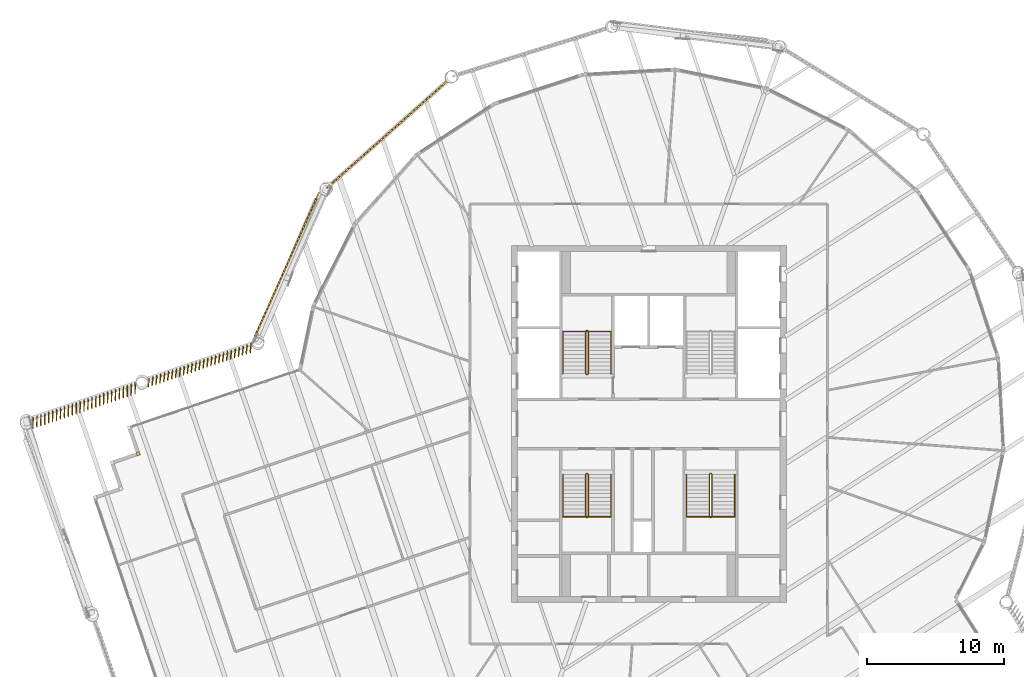
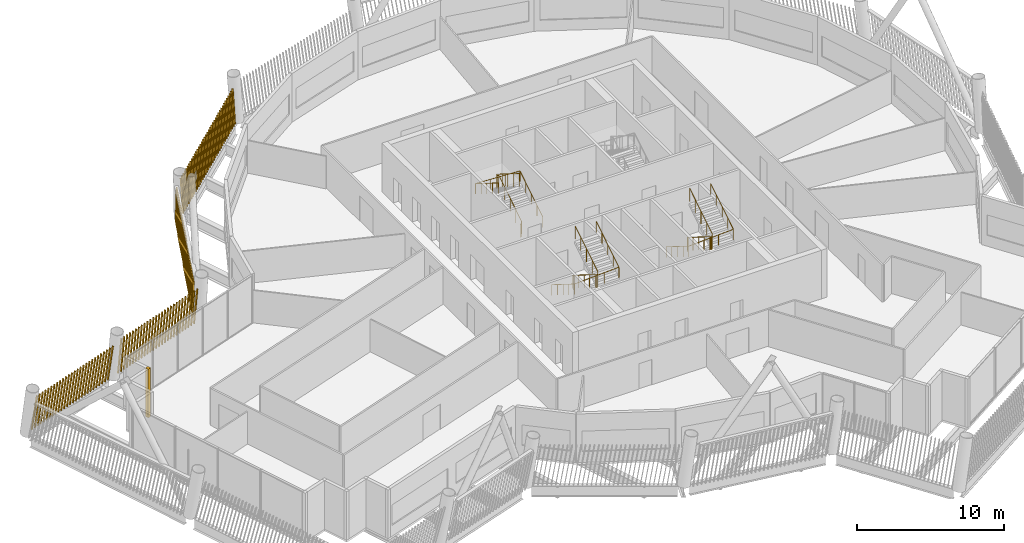
# One storey, part 32 of 35: 6 railings, 5 shading devices.
"""IFC4 building model written with IfcOpenShell, lengths in metres."""

from ifc_helpers import new_model, si_unit, direction, frame, frame_2d, origin, origin_2d, place, context, subcontext, project, spatial, rectangle, circle, composite_profile, extrude, material, type_object, element, save


model = new_model("IFC4")

# Units and contexts
model_context = context("Model", 3, precision=1e-05, world=origin(), true_north=direction((0.0, 1.0)))
body_context = subcontext(model_context, "Body", "Model", "MODEL_VIEW")
ifc_project = project(units=[si_unit("LENGTHUNIT", "METRE"), si_unit("AREAUNIT", "SQUARE_METRE"), si_unit("VOLUMEUNIT", "CUBIC_METRE"), si_unit("PLANEANGLEUNIT", "RADIAN"), si_unit("MASSUNIT", "GRAM", prefix="KILO")], contexts=[model_context])

# Site, building, storey
site_placement = place(None, origin())
site = spatial("IfcSite", under=ifc_project, at=site_placement, CompositionType="ELEMENT")
building_placement = place(site_placement, origin())
building = spatial("IfcBuilding", under=site, at=building_placement, Name="Tarsis Ring Headquarters", CompositionType="ELEMENT")
storey_placement = place(building_placement, frame((0.0, 0.0, 360.800048828125)))
storey = spatial("IfcBuildingStorey", under=building, at=storey_placement, Name="L85", CompositionType="ELEMENT", Elevation=360.800048828125)

# Railings
ifc_material_1 = material(Name="Steel S355", Category="steel")
railing_type_1 = type_object("IfcRailingType", Name="Core stair guard 1100", PredefinedType="GUARDRAIL", material=ifc_material_1)
railing_1_placement = place(storey_placement, frame((-4.5400390625, 3.610107421875, 0.0)))
element("IfcRailing", 1, at=railing_1_placement, inside=storey, type_object=railing_type_1, Name="L85 ST1 stair guard 1", PredefinedType="GUARDRAIL", context=body_context, shape_type="SweptSolid", body=[
    extrude(circle(Radius=0.02392578125, at=origin_2d()), frame((0.0, 0.0, 1.076171875), z_axis=(1.0, 0.0, 0.0), x_axis=(0.0, 1.0, 0.0)), (0.0, 0.0, 1.0), 0.080078125),
    extrude(circle(Radius=0.02392578125, at=origin_2d()), frame((0.080078125, 0.0, 1.076171875), z_axis=(0.265155923931, 0.263862480399, 0.927399011991), x_axis=(-0.705375805398, 0.708833529934, 0.0)), (0.0, 0.0, 1.0), 0.188720703125),
    extrude(circle(Radius=0.02392578125, at=origin_2d()), frame((0.130126953125, 0.0498046875, 1.2509765625), z_axis=(0.0, 0.848028513186, 0.529950602248), x_axis=(-1.0, 0.0, 0.0)), (0.0, 0.0, 1.0), 3.632080078125),
    extrude(circle(Radius=0.02392578125, at=origin_2d()), frame((0.130126953125, 3.1298828125, 3.17578125), z_axis=(-0.707106781187, 0.707106781187, 0.0), x_axis=(-0.707106781187, -0.707106781187, 0.0)), (0.0, 0.0, 1.0), 0.07080078125),
    extrude(circle(Radius=0.02392578125, at=origin_2d()), frame((0.080078125, 3.179931640625, 3.17578125), z_axis=(-1.0, 0.0, 0.0), x_axis=(0.0, -1.0, 0.0)), (0.0, 0.0, 1.0), 0.080078125),
    extrude(circle(Radius=0.02392578125, at=origin_2d()), frame((0.0, 3.179931640625, 3.17578125), z_axis=(-0.265065253269, -0.265065253269, 0.927081885822), x_axis=(0.707106781187, -0.707106781187, 0.0)), (0.0, 0.0, 1.0), 0.188720703125),
    extrude(circle(Radius=0.02392578125, at=origin_2d()), frame((-0.050048828125, 3.1298828125, 3.35107421875), z_axis=(0.0, -0.847998304005, 0.529998940003), x_axis=(1.0, 0.0, 0.0)), (0.0, 0.0, 1.0), 3.632080078125),
    extrude(circle(Radius=0.02099609375, at=origin_2d()), origin(), (0.0, 0.0, 1.0), 1.052001953125),
    extrude(circle(Radius=0.02099609375, at=origin_2d()), frame((0.080078125, 0.0, 0.0)), (0.0, 0.0, 1.0), 1.052001953125),
    extrude(circle(Radius=0.02099609375, at=origin_2d()), frame((0.130126953125, 0.0498046875, 0.175048828125)), (0.0, 0.0, 1.0), 1.052001953125),
    extrude(circle(Radius=0.02099609375, at=origin_2d()), frame((0.130126953125, 0.81982421875, 0.65625)), (0.0, 0.0, 1.0), 1.052001953125),
    extrude(circle(Radius=0.02099609375, at=origin_2d()), frame((0.130126953125, 1.58984375, 1.137451171875)), (0.0, 0.0, 1.0), 1.052001953125),
    extrude(circle(Radius=0.02099609375, at=origin_2d()), frame((0.130126953125, 2.35986328125, 1.61865234375)), (0.0, 0.0, 1.0), 1.052001953125),
    extrude(circle(Radius=0.02099609375, at=origin_2d()), frame((0.130126953125, 3.1298828125, 2.099853515625)), (0.0, 0.0, 1.0), 1.052001953125),
    extrude(circle(Radius=0.02099609375, at=origin_2d()), frame((0.080078125, 3.179931640625, 2.099853515625)), (0.0, 0.0, 1.0), 1.052001953125),
    extrude(circle(Radius=0.02099609375, at=origin_2d()), frame((0.0, 3.179931640625, 2.099853515625)), (0.0, 0.0, 1.0), 1.052001953125),
    extrude(circle(Radius=0.02099609375, at=origin_2d()), frame((-0.050048828125, 3.1298828125, 2.27490234375)), (0.0, 0.0, 1.0), 1.052001953125),
    extrude(circle(Radius=0.02099609375, at=origin_2d()), frame((-0.050048828125, 2.35986328125, 2.756103515625)), (0.0, 0.0, 1.0), 1.052001953125),
    extrude(circle(Radius=0.02099609375, at=origin_2d()), frame((-0.050048828125, 1.58984375, 3.2373046875)), (0.0, 0.0, 1.0), 1.052001953125),
    extrude(circle(Radius=0.02099609375, at=origin_2d()), frame((-0.050048828125, 0.81982421875, 3.71875)), (0.0, 0.0, 1.0), 1.052001953125),
    extrude(circle(Radius=0.02099609375, at=origin_2d()), frame((-0.050048828125, 0.0498046875, 4.199951171875)), (0.0, 0.0, 1.0), 1.052001953125),
])
railing_2_placement = place(storey_placement, frame((-4.4599609375, -3.610107421875, 0.0)))
element("IfcRailing", 2, at=railing_2_placement, inside=storey, type_object=railing_type_1, Name="L85 ST3 stair guard 1", PredefinedType="GUARDRAIL", context=body_context, shape_type="SweptSolid", body=[
    extrude(circle(Radius=0.02392578125, at=origin_2d()), frame((0.0, 0.0, 1.076171875), z_axis=(-1.0, 0.0, 0.0), x_axis=(0.0, -1.0, 0.0)), (0.0, 0.0, 1.0), 0.080078125),
    extrude(circle(Radius=0.02392578125, at=origin_2d()), frame((-0.080078125, 0.0, 1.076171875), z_axis=(-0.265155923931, -0.263862480399, 0.927399011991), x_axis=(0.705375805398, -0.708833529934, 0.0)), (0.0, 0.0, 1.0), 0.188720703125),
    extrude(circle(Radius=0.02392578125, at=origin_2d()), frame((-0.130126953125, -0.0498046875, 1.2509765625), z_axis=(0.0, -0.848028513186, 0.529950602248), x_axis=(1.0, 0.0, 0.0)), (0.0, 0.0, 1.0), 3.632080078125),
    extrude(circle(Radius=0.02392578125, at=origin_2d()), frame((-0.130126953125, -3.1298828125, 3.17578125), z_axis=(0.707106781187, -0.707106781187, 0.0), x_axis=(0.707106781187, 0.707106781187, 0.0)), (0.0, 0.0, 1.0), 0.07080078125),
    extrude(circle(Radius=0.02392578125, at=origin_2d()), frame((-0.080078125, -3.179931640625, 3.17578125), z_axis=(1.0, 0.0, 0.0), x_axis=(0.0, 1.0, 0.0)), (0.0, 0.0, 1.0), 0.080078125),
    extrude(circle(Radius=0.02392578125, at=origin_2d()), frame((0.0, -3.179931640625, 3.17578125), z_axis=(0.265065253269, 0.265065253269, 0.927081885822), x_axis=(-0.707106781187, 0.707106781187, 0.0)), (0.0, 0.0, 1.0), 0.188720703125),
    extrude(circle(Radius=0.02392578125, at=origin_2d()), frame((0.050048828125, -3.1298828125, 3.35107421875), z_axis=(0.0, 0.847998304005, 0.529998940003), x_axis=(-1.0, 0.0, 0.0)), (0.0, 0.0, 1.0), 3.632080078125),
    extrude(circle(Radius=0.02099609375, at=origin_2d()), origin(), (0.0, 0.0, 1.0), 1.052001953125),
    extrude(circle(Radius=0.02099609375, at=origin_2d()), frame((-0.080078125, 0.0, 0.0)), (0.0, 0.0, 1.0), 1.052001953125),
    extrude(circle(Radius=0.02099609375, at=origin_2d()), frame((-0.130126953125, -0.0498046875, 0.175048828125)), (0.0, 0.0, 1.0), 1.052001953125),
    extrude(circle(Radius=0.02099609375, at=origin_2d()), frame((-0.130126953125, -0.81982421875, 0.65625)), (0.0, 0.0, 1.0), 1.052001953125),
    extrude(circle(Radius=0.02099609375, at=origin_2d()), frame((-0.130126953125, -1.58984375, 1.137451171875)), (0.0, 0.0, 1.0), 1.052001953125),
    extrude(circle(Radius=0.02099609375, at=origin_2d()), frame((-0.130126953125, -2.35986328125, 1.61865234375)), (0.0, 0.0, 1.0), 1.052001953125),
    extrude(circle(Radius=0.02099609375, at=origin_2d()), frame((-0.130126953125, -3.1298828125, 2.099853515625)), (0.0, 0.0, 1.0), 1.052001953125),
    extrude(circle(Radius=0.02099609375, at=origin_2d()), frame((-0.080078125, -3.179931640625, 2.099853515625)), (0.0, 0.0, 1.0), 1.052001953125),
    extrude(circle(Radius=0.02099609375, at=origin_2d()), frame((0.0, -3.179931640625, 2.099853515625)), (0.0, 0.0, 1.0), 1.052001953125),
    extrude(circle(Radius=0.02099609375, at=origin_2d()), frame((0.050048828125, -3.1298828125, 2.27490234375)), (0.0, 0.0, 1.0), 1.052001953125),
    extrude(circle(Radius=0.02099609375, at=origin_2d()), frame((0.050048828125, -2.35986328125, 2.756103515625)), (0.0, 0.0, 1.0), 1.052001953125),
    extrude(circle(Radius=0.02099609375, at=origin_2d()), frame((0.050048828125, -1.58984375, 3.2373046875)), (0.0, 0.0, 1.0), 1.052001953125),
    extrude(circle(Radius=0.02099609375, at=origin_2d()), frame((0.050048828125, -0.81982421875, 3.71875)), (0.0, 0.0, 1.0), 1.052001953125),
    extrude(circle(Radius=0.02099609375, at=origin_2d()), frame((0.050048828125, -0.0498046875, 4.199951171875)), (0.0, 0.0, 1.0), 1.052001953125),
])
railing_3_placement = place(storey_placement, frame((4.5400390625, -3.610107421875, 0.0)))
element("IfcRailing", 3, at=railing_3_placement, inside=storey, type_object=railing_type_1, Name="L85 ST4 stair guard 1", PredefinedType="GUARDRAIL", context=body_context, shape_type="SweptSolid", body=[
    extrude(circle(Radius=0.02392578125, at=origin_2d()), frame((0.0, 0.0, 1.076171875), z_axis=(-1.0, 0.0, 0.0), x_axis=(0.0, -1.0, 0.0)), (0.0, 0.0, 1.0), 0.080078125),
    extrude(circle(Radius=0.02392578125, at=origin_2d()), frame((-0.080078125, 0.0, 1.076171875), z_axis=(-0.265155923931, -0.263862480399, 0.927399011991), x_axis=(0.705375805398, -0.708833529934, 0.0)), (0.0, 0.0, 1.0), 0.188720703125),
    extrude(circle(Radius=0.02392578125, at=origin_2d()), frame((-0.130126953125, -0.0498046875, 1.2509765625), z_axis=(0.0, -0.848028513186, 0.529950602248), x_axis=(1.0, 0.0, 0.0)), (0.0, 0.0, 1.0), 3.632080078125),
    extrude(circle(Radius=0.02392578125, at=origin_2d()), frame((-0.130126953125, -3.1298828125, 3.17578125), z_axis=(0.707106781187, -0.707106781187, 0.0), x_axis=(0.707106781187, 0.707106781187, 0.0)), (0.0, 0.0, 1.0), 0.07080078125),
    extrude(circle(Radius=0.02392578125, at=origin_2d()), frame((-0.080078125, -3.179931640625, 3.17578125), z_axis=(1.0, 0.0, 0.0), x_axis=(0.0, 1.0, 0.0)), (0.0, 0.0, 1.0), 0.080078125),
    extrude(circle(Radius=0.02392578125, at=origin_2d()), frame((0.0, -3.179931640625, 3.17578125), z_axis=(0.265065253269, 0.265065253269, 0.927081885822), x_axis=(-0.707106781187, 0.707106781187, 0.0)), (0.0, 0.0, 1.0), 0.188720703125),
    extrude(circle(Radius=0.02392578125, at=origin_2d()), frame((0.050048828125, -3.1298828125, 3.35107421875), z_axis=(0.0, 0.847998304005, 0.529998940003), x_axis=(-1.0, 0.0, 0.0)), (0.0, 0.0, 1.0), 3.632080078125),
    extrude(circle(Radius=0.02099609375, at=origin_2d()), origin(), (0.0, 0.0, 1.0), 1.052001953125),
    extrude(circle(Radius=0.02099609375, at=origin_2d()), frame((-0.080078125, 0.0, 0.0)), (0.0, 0.0, 1.0), 1.052001953125),
    extrude(circle(Radius=0.02099609375, at=origin_2d()), frame((-0.130126953125, -0.0498046875, 0.175048828125)), (0.0, 0.0, 1.0), 1.052001953125),
    extrude(circle(Radius=0.02099609375, at=origin_2d()), frame((-0.130126953125, -0.81982421875, 0.65625)), (0.0, 0.0, 1.0), 1.052001953125),
    extrude(circle(Radius=0.02099609375, at=origin_2d()), frame((-0.130126953125, -1.58984375, 1.137451171875)), (0.0, 0.0, 1.0), 1.052001953125),
    extrude(circle(Radius=0.02099609375, at=origin_2d()), frame((-0.130126953125, -2.35986328125, 1.61865234375)), (0.0, 0.0, 1.0), 1.052001953125),
    extrude(circle(Radius=0.02099609375, at=origin_2d()), frame((-0.130126953125, -3.1298828125, 2.099853515625)), (0.0, 0.0, 1.0), 1.052001953125),
    extrude(circle(Radius=0.02099609375, at=origin_2d()), frame((-0.080078125, -3.179931640625, 2.099853515625)), (0.0, 0.0, 1.0), 1.052001953125),
    extrude(circle(Radius=0.02099609375, at=origin_2d()), frame((0.0, -3.179931640625, 2.099853515625)), (0.0, 0.0, 1.0), 1.052001953125),
    extrude(circle(Radius=0.02099609375, at=origin_2d()), frame((0.050048828125, -3.1298828125, 2.27490234375)), (0.0, 0.0, 1.0), 1.052001953125),
    extrude(circle(Radius=0.02099609375, at=origin_2d()), frame((0.050048828125, -2.35986328125, 2.756103515625)), (0.0, 0.0, 1.0), 1.052001953125),
    extrude(circle(Radius=0.02099609375, at=origin_2d()), frame((0.050048828125, -1.58984375, 3.2373046875)), (0.0, 0.0, 1.0), 1.052001953125),
    extrude(circle(Radius=0.02099609375, at=origin_2d()), frame((0.050048828125, -0.81982421875, 3.71875)), (0.0, 0.0, 1.0), 1.052001953125),
    extrude(circle(Radius=0.02099609375, at=origin_2d()), frame((0.050048828125, -0.0498046875, 4.199951171875)), (0.0, 0.0, 1.0), 1.052001953125),
])
railing_type_2 = type_object("IfcRailingType", Name="Core stair handrail 900", PredefinedType="HANDRAIL", material=ifc_material_1)
railing_4_placement = place(storey_placement, frame((-2.75, 3.659912109375, 0.175048828125)))
element("IfcRailing", 4, at=railing_4_placement, inside=storey, type_object=railing_type_2, Name="L85 ST1 stair handrail 1", PredefinedType="HANDRAIL", context=body_context, shape_type="SweptSolid", body=[
    extrude(circle(Radius=0.02392578125, at=origin_2d()), frame((0.0, 0.0, 0.8759765625), z_axis=(0.0, 0.848028513186, 0.529950602248), x_axis=(-1.0, 0.0, 0.0)), (0.0, 0.0, 1.0), 3.632080078125),
    extrude(circle(Radius=0.02392578125, at=origin_2d()), frame((0.0, 3.080078125, 2.80078125), z_axis=(-0.998751643845, 0.0, 0.049951515669), x_axis=(0.0, -1.0, 0.0)), (0.0, 0.0, 1.0), 3.50439453125),
    extrude(circle(Radius=0.02392578125, at=origin_2d()), frame((-3.5, 3.080078125, 2.9755859375), z_axis=(0.0, -0.847998304005, 0.529998940003), x_axis=(1.0, 0.0, 0.0)), (0.0, 0.0, 1.0), 3.632080078125),
    extrude(circle(Radius=0.02099609375, at=origin_2d()), origin(), (0.0, 0.0, 1.0), 0.851806640625),
    extrude(circle(Radius=0.02099609375, at=origin_2d()), frame((0.0, 0.77001953125, 0.481201171875)), (0.0, 0.0, 1.0), 0.851806640625),
    extrude(circle(Radius=0.02099609375, at=origin_2d()), frame((0.0, 1.5400390625, 0.96240234375)), (0.0, 0.0, 1.0), 0.851806640625),
    extrude(circle(Radius=0.02099609375, at=origin_2d()), frame((0.0, 2.31005859375, 1.443603515625)), (0.0, 0.0, 1.0), 0.851806640625),
    extrude(circle(Radius=0.02099609375, at=origin_2d()), frame((0.0, 3.080078125, 1.9248046875)), (0.0, 0.0, 1.0), 0.851806640625),
    extrude(circle(Radius=0.02099609375, at=origin_2d()), frame((-1.166748046875, 3.080078125, 1.983154296875)), (0.0, 0.0, 1.0), 0.851806640625),
    extrude(circle(Radius=0.02099609375, at=origin_2d()), frame((-2.333251953125, 3.080078125, 2.04150390625)), (0.0, 0.0, 1.0), 0.851806640625),
    extrude(circle(Radius=0.02099609375, at=origin_2d()), frame((-3.5, 3.080078125, 2.099853515625)), (0.0, 0.0, 1.0), 0.851806640625),
    extrude(circle(Radius=0.02099609375, at=origin_2d()), frame((-3.5, 2.31005859375, 2.5810546875)), (0.0, 0.0, 1.0), 0.851806640625),
    extrude(circle(Radius=0.02099609375, at=origin_2d()), frame((-3.5, 1.5400390625, 3.0625)), (0.0, 0.0, 1.0), 0.851806640625),
    extrude(circle(Radius=0.02099609375, at=origin_2d()), frame((-3.5, 0.77001953125, 3.543701171875)), (0.0, 0.0, 1.0), 0.851806640625),
    extrude(circle(Radius=0.02099609375, at=origin_2d()), frame((-3.5, 0.0, 4.02490234375)), (0.0, 0.0, 1.0), 0.851806640625),
])
railing_5_placement = place(storey_placement, frame((-6.25, -3.659912109375, 0.175048828125)))
element("IfcRailing", 5, at=railing_5_placement, inside=storey, type_object=railing_type_2, Name="L85 ST3 stair handrail 1", PredefinedType="HANDRAIL", context=body_context, shape_type="SweptSolid", body=[
    extrude(circle(Radius=0.02392578125, at=origin_2d()), frame((0.0, 0.0, 0.8759765625), z_axis=(0.0, -0.848028513186, 0.529950602248), x_axis=(1.0, 0.0, 0.0)), (0.0, 0.0, 1.0), 3.632080078125),
    extrude(circle(Radius=0.02392578125, at=origin_2d()), frame((0.0, -3.080078125, 2.80078125), z_axis=(0.998751643845, 0.0, 0.049951515669), x_axis=(0.0, 1.0, 0.0)), (0.0, 0.0, 1.0), 3.50439453125),
    extrude(circle(Radius=0.02392578125, at=origin_2d()), frame((3.5, -3.080078125, 2.9755859375), z_axis=(0.0, 0.847998304005, 0.529998940003), x_axis=(-1.0, 0.0, 0.0)), (0.0, 0.0, 1.0), 3.632080078125),
    extrude(circle(Radius=0.02099609375, at=origin_2d()), origin(), (0.0, 0.0, 1.0), 0.851806640625),
    extrude(circle(Radius=0.02099609375, at=origin_2d()), frame((0.0, -0.77001953125, 0.481201171875)), (0.0, 0.0, 1.0), 0.851806640625),
    extrude(circle(Radius=0.02099609375, at=origin_2d()), frame((0.0, -1.5400390625, 0.96240234375)), (0.0, 0.0, 1.0), 0.851806640625),
    extrude(circle(Radius=0.02099609375, at=origin_2d()), frame((0.0, -2.31005859375, 1.443603515625)), (0.0, 0.0, 1.0), 0.851806640625),
    extrude(circle(Radius=0.02099609375, at=origin_2d()), frame((0.0, -3.080078125, 1.9248046875)), (0.0, 0.0, 1.0), 0.851806640625),
    extrude(circle(Radius=0.02099609375, at=origin_2d()), frame((1.166748046875, -3.080078125, 1.983154296875)), (0.0, 0.0, 1.0), 0.851806640625),
    extrude(circle(Radius=0.02099609375, at=origin_2d()), frame((2.333251953125, -3.080078125, 2.04150390625)), (0.0, 0.0, 1.0), 0.851806640625),
    extrude(circle(Radius=0.02099609375, at=origin_2d()), frame((3.5, -3.080078125, 2.099853515625)), (0.0, 0.0, 1.0), 0.851806640625),
    extrude(circle(Radius=0.02099609375, at=origin_2d()), frame((3.5, -2.31005859375, 2.5810546875)), (0.0, 0.0, 1.0), 0.851806640625),
    extrude(circle(Radius=0.02099609375, at=origin_2d()), frame((3.5, -1.5400390625, 3.0625)), (0.0, 0.0, 1.0), 0.851806640625),
    extrude(circle(Radius=0.02099609375, at=origin_2d()), frame((3.5, -0.77001953125, 3.543701171875)), (0.0, 0.0, 1.0), 0.851806640625),
    extrude(circle(Radius=0.02099609375, at=origin_2d()), frame((3.5, 0.0, 4.02490234375)), (0.0, 0.0, 1.0), 0.851806640625),
])
railing_6_placement = place(storey_placement, frame((2.75, -3.659912109375, 0.175048828125)))
element("IfcRailing", 6, at=railing_6_placement, inside=storey, type_object=railing_type_2, Name="L85 ST4 stair handrail 1", PredefinedType="HANDRAIL", context=body_context, shape_type="SweptSolid", body=[
    extrude(circle(Radius=0.02392578125, at=origin_2d()), frame((0.0, 0.0, 0.8759765625), z_axis=(0.0, -0.848028513186, 0.529950602248), x_axis=(1.0, 0.0, 0.0)), (0.0, 0.0, 1.0), 3.632080078125),
    extrude(circle(Radius=0.02392578125, at=origin_2d()), frame((0.0, -3.080078125, 2.80078125), z_axis=(0.998751643845, 0.0, 0.049951515669), x_axis=(0.0, 1.0, 0.0)), (0.0, 0.0, 1.0), 3.50439453125),
    extrude(circle(Radius=0.02392578125, at=origin_2d()), frame((3.5, -3.080078125, 2.9755859375), z_axis=(0.0, 0.847998304005, 0.529998940003), x_axis=(-1.0, 0.0, 0.0)), (0.0, 0.0, 1.0), 3.632080078125),
    extrude(circle(Radius=0.02099609375, at=origin_2d()), origin(), (0.0, 0.0, 1.0), 0.851806640625),
    extrude(circle(Radius=0.02099609375, at=origin_2d()), frame((0.0, -0.77001953125, 0.481201171875)), (0.0, 0.0, 1.0), 0.851806640625),
    extrude(circle(Radius=0.02099609375, at=origin_2d()), frame((0.0, -1.5400390625, 0.96240234375)), (0.0, 0.0, 1.0), 0.851806640625),
    extrude(circle(Radius=0.02099609375, at=origin_2d()), frame((0.0, -2.31005859375, 1.443603515625)), (0.0, 0.0, 1.0), 0.851806640625),
    extrude(circle(Radius=0.02099609375, at=origin_2d()), frame((0.0, -3.080078125, 1.9248046875)), (0.0, 0.0, 1.0), 0.851806640625),
    extrude(circle(Radius=0.02099609375, at=origin_2d()), frame((1.166748046875, -3.080078125, 1.983154296875)), (0.0, 0.0, 1.0), 0.851806640625),
    extrude(circle(Radius=0.02099609375, at=origin_2d()), frame((2.333251953125, -3.080078125, 2.04150390625)), (0.0, 0.0, 1.0), 0.851806640625),
    extrude(circle(Radius=0.02099609375, at=origin_2d()), frame((3.5, -3.080078125, 2.099853515625)), (0.0, 0.0, 1.0), 0.851806640625),
    extrude(circle(Radius=0.02099609375, at=origin_2d()), frame((3.5, -2.31005859375, 2.5810546875)), (0.0, 0.0, 1.0), 0.851806640625),
    extrude(circle(Radius=0.02099609375, at=origin_2d()), frame((3.5, -1.5400390625, 3.0625)), (0.0, 0.0, 1.0), 0.851806640625),
    extrude(circle(Radius=0.02099609375, at=origin_2d()), frame((3.5, -0.77001953125, 3.543701171875)), (0.0, 0.0, 1.0), 0.851806640625),
    extrude(circle(Radius=0.02099609375, at=origin_2d()), frame((3.5, 0.0, 4.02490234375)), (0.0, 0.0, 1.0), 0.851806640625),
])

# Shading devices
ifc_material_2 = material(Name="Terracotta baguette", Category="masonry")
shading_device_type_1 = type_object("IfcShadingDeviceType", Name="Terracotta baguette screen", PredefinedType="USERDEFINED", material=ifc_material_2)
shading_device_1_placement = place(storey_placement, frame((-14.63623046875, 24.974365234375, 0.0), z_axis=(0.0, 0.0, 1.0), x_axis=(-0.748084644601, -0.663613673359, 0.0)))
element("IfcShadingDevice", 7, at=shading_device_1_placement, inside=storey, type_object=shading_device_type_1, Name="Baguette screen L85-11", ObjectType="Terracotta baguette screen", PredefinedType="USERDEFINED", context=body_context, shape_type="SweptSolid", body=[
    extrude(composite_profile([rectangle(XDim=0.06005859375, YDim=0.1201171875, at=frame_2d((0.030029296875, 0.0))), rectangle(XDim=0.06005859375, YDim=0.1201171875, at=frame_2d((0.33251953125, 0.0))), rectangle(XDim=0.06005859375, YDim=0.1201171875, at=frame_2d((0.634765625, 0.0))), rectangle(XDim=0.06005859375, YDim=0.1201171875, at=frame_2d((0.937255859375, 0.0))), rectangle(XDim=0.06005859375, YDim=0.1201171875, at=frame_2d((1.239501953125, 0.0))), rectangle(XDim=0.06005859375, YDim=0.1201171875, at=frame_2d((1.5419921875, 0.0))), rectangle(XDim=0.06005859375, YDim=0.1201171875, at=frame_2d((1.844482421875, 0.0))), rectangle(XDim=0.06005859375, YDim=0.1201171875, at=frame_2d((2.146728515625, 0.0))), rectangle(XDim=0.06005859375, YDim=0.1201171875, at=frame_2d((2.44921875, 0.0))), rectangle(XDim=0.06005859375, YDim=0.1201171875, at=frame_2d((2.751708984375, 0.0))), rectangle(XDim=0.06005859375, YDim=0.1201171875, at=frame_2d((3.053955078125, 0.0))), rectangle(XDim=0.06005859375, YDim=0.1201171875, at=frame_2d((3.3564453125, 0.0))), rectangle(XDim=0.06005859375, YDim=0.1201171875, at=frame_2d((3.65869140625, 0.0))), rectangle(XDim=0.06005859375, YDim=0.1201171875, at=frame_2d((3.961181640625, 0.0))), rectangle(XDim=0.06005859375, YDim=0.1201171875, at=frame_2d((4.263671875, 0.0))), rectangle(XDim=0.06005859375, YDim=0.1201171875, at=frame_2d((4.56591796875, 0.0))), rectangle(XDim=0.06005859375, YDim=0.1201171875, at=frame_2d((4.868408203125, 0.0))), rectangle(XDim=0.06005859375, YDim=0.1201171875, at=frame_2d((5.1708984375, 0.0))), rectangle(XDim=0.06005859375, YDim=0.1201171875, at=frame_2d((5.47314453125, 0.0))), rectangle(XDim=0.06005859375, YDim=0.1201171875, at=frame_2d((5.775634765625, 0.0))), rectangle(XDim=0.06005859375, YDim=0.1201171875, at=frame_2d((6.077880859375, 0.0))), rectangle(XDim=0.06005859375, YDim=0.1201171875, at=frame_2d((6.38037109375, 0.0))), rectangle(XDim=0.06005859375, YDim=0.1201171875, at=frame_2d((6.682861328125, 0.0))), rectangle(XDim=0.06005859375, YDim=0.1201171875, at=frame_2d((6.985107421875, 0.0))), rectangle(XDim=0.06005859375, YDim=0.1201171875, at=frame_2d((7.28759765625, 0.0))), rectangle(XDim=0.06005859375, YDim=0.1201171875, at=frame_2d((7.590087890625, 0.0))), rectangle(XDim=0.06005859375, YDim=0.1201171875, at=frame_2d((7.892333984375, 0.0))), rectangle(XDim=0.06005859375, YDim=0.1201171875, at=frame_2d((8.19482421875, 0.0))), rectangle(XDim=0.06005859375, YDim=0.1201171875, at=frame_2d((8.4970703125, 0.0))), rectangle(XDim=0.06005859375, YDim=0.1201171875, at=frame_2d((8.799560546875, 0.0))), rectangle(XDim=0.06005859375, YDim=0.1201171875, at=frame_2d((9.10205078125, 0.0))), rectangle(XDim=0.06005859375, YDim=0.1201171875, at=frame_2d((9.404296875, 0.0))), rectangle(XDim=0.06005859375, YDim=0.1201171875, at=frame_2d((9.706787109375, 0.0))), rectangle(XDim=0.06005859375, YDim=0.1201171875, at=frame_2d((10.00927734375, 0.0))), rectangle(XDim=0.06005859375, YDim=0.1201171875, at=frame_2d((10.3115234375, 0.0))), rectangle(XDim=0.06005859375, YDim=0.1201171875, at=frame_2d((10.614013671875, 0.0))), rectangle(XDim=0.06005859375, YDim=0.1201171875, at=frame_2d((10.916259765625, 0.0))), rectangle(XDim=0.06005859375, YDim=0.1201171875, at=frame_2d((11.21875, 0.0)))]), origin(), (0.15520416168, 0.001410111936, 0.987881409776), 3.32080078125),
])
shading_device_2_placement = place(storey_placement, frame((-23.9716796875, 16.874267578125, 0.0), z_axis=(0.0, 0.0, 1.0), x_axis=(-0.408030385241, -0.912967986978, 0.0)))
element("IfcShadingDevice", 8, at=shading_device_2_placement, inside=storey, type_object=shading_device_type_1, Name="Baguette screen L85-12", ObjectType="Terracotta baguette screen", PredefinedType="USERDEFINED", context=body_context, shape_type="SweptSolid", body=[
    extrude(composite_profile([rectangle(XDim=0.06005859375, YDim=0.1201171875, at=frame_2d((0.030029296875, 0.0))), rectangle(XDim=0.06005859375, YDim=0.1201171875, at=frame_2d((0.33251953125, 0.0))), rectangle(XDim=0.06005859375, YDim=0.1201171875, at=frame_2d((0.634765625, 0.0))), rectangle(XDim=0.06005859375, YDim=0.1201171875, at=frame_2d((0.937255859375, 0.0))), rectangle(XDim=0.06005859375, YDim=0.1201171875, at=frame_2d((1.239501953125, 0.0))), rectangle(XDim=0.06005859375, YDim=0.1201171875, at=frame_2d((1.5419921875, 0.0))), rectangle(XDim=0.06005859375, YDim=0.1201171875, at=frame_2d((1.844482421875, 0.0))), rectangle(XDim=0.06005859375, YDim=0.1201171875, at=frame_2d((2.146728515625, 0.0))), rectangle(XDim=0.06005859375, YDim=0.1201171875, at=frame_2d((2.44921875, 0.0))), rectangle(XDim=0.06005859375, YDim=0.1201171875, at=frame_2d((2.751708984375, 0.0))), rectangle(XDim=0.06005859375, YDim=0.1201171875, at=frame_2d((3.053955078125, 0.0))), rectangle(XDim=0.06005859375, YDim=0.1201171875, at=frame_2d((3.3564453125, 0.0))), rectangle(XDim=0.06005859375, YDim=0.1201171875, at=frame_2d((3.65869140625, 0.0))), rectangle(XDim=0.06005859375, YDim=0.1201171875, at=frame_2d((3.961181640625, 0.0))), rectangle(XDim=0.06005859375, YDim=0.1201171875, at=frame_2d((4.263671875, 0.0))), rectangle(XDim=0.06005859375, YDim=0.1201171875, at=frame_2d((4.56591796875, 0.0))), rectangle(XDim=0.06005859375, YDim=0.1201171875, at=frame_2d((4.868408203125, 0.0))), rectangle(XDim=0.06005859375, YDim=0.1201171875, at=frame_2d((5.1708984375, 0.0))), rectangle(XDim=0.06005859375, YDim=0.1201171875, at=frame_2d((5.47314453125, 0.0))), rectangle(XDim=0.06005859375, YDim=0.1201171875, at=frame_2d((5.775634765625, 0.0))), rectangle(XDim=0.06005859375, YDim=0.1201171875, at=frame_2d((6.077880859375, 0.0))), rectangle(XDim=0.06005859375, YDim=0.1201171875, at=frame_2d((6.38037109375, 0.0))), rectangle(XDim=0.06005859375, YDim=0.1201171875, at=frame_2d((6.682861328125, 0.0))), rectangle(XDim=0.06005859375, YDim=0.1201171875, at=frame_2d((6.985107421875, 0.0))), rectangle(XDim=0.06005859375, YDim=0.1201171875, at=frame_2d((7.28759765625, 0.0))), rectangle(XDim=0.06005859375, YDim=0.1201171875, at=frame_2d((7.590087890625, 0.0))), rectangle(XDim=0.06005859375, YDim=0.1201171875, at=frame_2d((7.892333984375, 0.0))), rectangle(XDim=0.06005859375, YDim=0.1201171875, at=frame_2d((8.19482421875, 0.0))), rectangle(XDim=0.06005859375, YDim=0.1201171875, at=frame_2d((8.4970703125, 0.0))), rectangle(XDim=0.06005859375, YDim=0.1201171875, at=frame_2d((8.799560546875, 0.0))), rectangle(XDim=0.06005859375, YDim=0.1201171875, at=frame_2d((9.10205078125, 0.0))), rectangle(XDim=0.06005859375, YDim=0.1201171875, at=frame_2d((9.404296875, 0.0))), rectangle(XDim=0.06005859375, YDim=0.1201171875, at=frame_2d((9.706787109375, 0.0))), rectangle(XDim=0.06005859375, YDim=0.1201171875, at=frame_2d((10.00927734375, 0.0))), rectangle(XDim=0.06005859375, YDim=0.1201171875, at=frame_2d((10.3115234375, 0.0))), rectangle(XDim=0.06005859375, YDim=0.1201171875, at=frame_2d((10.614013671875, 0.0))), rectangle(XDim=0.06005859375, YDim=0.1201171875, at=frame_2d((10.916259765625, 0.0))), rectangle(XDim=0.06005859375, YDim=0.1201171875, at=frame_2d((11.21875, 0.0)))]), origin(), (0.157202313946, 0.001426412042, 0.987565389146), 3.32177734375),
])
shading_device_3_placement = place(storey_placement, frame((-28.896728515625, 5.83447265625, 0.0), z_axis=(0.0, 0.0, 1.0), x_axis=(-0.947106620941, -0.320944171533, 0.0)))
element("IfcShadingDevice", 9, at=shading_device_3_placement, inside=storey, type_object=shading_device_type_1, Name="Baguette screen L85-13", ObjectType="Terracotta baguette screen", PredefinedType="USERDEFINED", context=body_context, shape_type="SweptSolid", body=[
    extrude(composite_profile([rectangle(XDim=0.06005859375, YDim=0.1201171875, at=frame_2d((0.030029296875, 0.0))), rectangle(XDim=0.06005859375, YDim=0.1201171875, at=frame_2d((0.33154296875, 0.0))), rectangle(XDim=0.06005859375, YDim=0.1201171875, at=frame_2d((0.63330078125, 0.0))), rectangle(XDim=0.06005859375, YDim=0.1201171875, at=frame_2d((0.934814453125, 0.0))), rectangle(XDim=0.06005859375, YDim=0.1201171875, at=frame_2d((1.236572265625, 0.0))), rectangle(XDim=0.06005859375, YDim=0.1201171875, at=frame_2d((1.5380859375, 0.0))), rectangle(XDim=0.06005859375, YDim=0.1201171875, at=frame_2d((1.83984375, 0.0))), rectangle(XDim=0.06005859375, YDim=0.1201171875, at=frame_2d((2.141357421875, 0.0))), rectangle(XDim=0.06005859375, YDim=0.1201171875, at=frame_2d((2.443115234375, 0.0))), rectangle(XDim=0.06005859375, YDim=0.1201171875, at=frame_2d((2.74462890625, 0.0))), rectangle(XDim=0.06005859375, YDim=0.1201171875, at=frame_2d((3.04638671875, 0.0))), rectangle(XDim=0.06005859375, YDim=0.1201171875, at=frame_2d((3.347900390625, 0.0))), rectangle(XDim=0.06005859375, YDim=0.1201171875, at=frame_2d((3.649658203125, 0.0))), rectangle(XDim=0.06005859375, YDim=0.1201171875, at=frame_2d((3.951171875, 0.0))), rectangle(XDim=0.06005859375, YDim=0.1201171875, at=frame_2d((4.252685546875, 0.0))), rectangle(XDim=0.06005859375, YDim=0.1201171875, at=frame_2d((4.554443359375, 0.0))), rectangle(XDim=0.06005859375, YDim=0.1201171875, at=frame_2d((4.85595703125, 0.0))), rectangle(XDim=0.06005859375, YDim=0.1201171875, at=frame_2d((5.15771484375, 0.0))), rectangle(XDim=0.06005859375, YDim=0.1201171875, at=frame_2d((5.459228515625, 0.0))), rectangle(XDim=0.06005859375, YDim=0.1201171875, at=frame_2d((5.760986328125, 0.0))), rectangle(XDim=0.06005859375, YDim=0.1201171875, at=frame_2d((6.0625, 0.0))), rectangle(XDim=0.06005859375, YDim=0.1201171875, at=frame_2d((6.3642578125, 0.0))), rectangle(XDim=0.06005859375, YDim=0.1201171875, at=frame_2d((6.665771484375, 0.0))), rectangle(XDim=0.06005859375, YDim=0.1201171875, at=frame_2d((6.967529296875, 0.0))), rectangle(XDim=0.06005859375, YDim=0.1201171875, at=frame_2d((7.26904296875, 0.0))), rectangle(XDim=0.06005859375, YDim=0.1201171875, at=frame_2d((7.57080078125, 0.0))), rectangle(XDim=0.06005859375, YDim=0.1201171875, at=frame_2d((7.872314453125, 0.0)))]), origin(), (0.079102735822, 0.161011734833, 0.983777402887), 3.334716796875),
])
shading_device_4_placement = place(storey_placement, frame((-37.328125, 2.977294921875, 0.0), z_axis=(0.0, 0.0, 1.0), x_axis=(-0.947106620941, -0.320944171533, 0.0)))
element("IfcShadingDevice", 10, at=shading_device_4_placement, inside=storey, type_object=shading_device_type_1, Name="Baguette screen L85-14", ObjectType="Terracotta baguette screen", PredefinedType="USERDEFINED", context=body_context, shape_type="SweptSolid", body=[
    extrude(composite_profile([rectangle(XDim=0.06005859375, YDim=0.1201171875, at=frame_2d((0.030029296875, 0.0))), rectangle(XDim=0.06005859375, YDim=0.1201171875, at=frame_2d((0.33154296875, 0.0))), rectangle(XDim=0.06005859375, YDim=0.1201171875, at=frame_2d((0.63330078125, 0.0))), rectangle(XDim=0.06005859375, YDim=0.1201171875, at=frame_2d((0.934814453125, 0.0))), rectangle(XDim=0.06005859375, YDim=0.1201171875, at=frame_2d((1.236572265625, 0.0))), rectangle(XDim=0.06005859375, YDim=0.1201171875, at=frame_2d((1.5380859375, 0.0))), rectangle(XDim=0.06005859375, YDim=0.1201171875, at=frame_2d((1.83984375, 0.0))), rectangle(XDim=0.06005859375, YDim=0.1201171875, at=frame_2d((2.141357421875, 0.0))), rectangle(XDim=0.06005859375, YDim=0.1201171875, at=frame_2d((2.443115234375, 0.0))), rectangle(XDim=0.06005859375, YDim=0.1201171875, at=frame_2d((2.74462890625, 0.0))), rectangle(XDim=0.06005859375, YDim=0.1201171875, at=frame_2d((3.04638671875, 0.0))), rectangle(XDim=0.06005859375, YDim=0.1201171875, at=frame_2d((3.347900390625, 0.0))), rectangle(XDim=0.06005859375, YDim=0.1201171875, at=frame_2d((3.649658203125, 0.0))), rectangle(XDim=0.06005859375, YDim=0.1201171875, at=frame_2d((3.951171875, 0.0))), rectangle(XDim=0.06005859375, YDim=0.1201171875, at=frame_2d((4.252685546875, 0.0))), rectangle(XDim=0.06005859375, YDim=0.1201171875, at=frame_2d((4.554443359375, 0.0))), rectangle(XDim=0.06005859375, YDim=0.1201171875, at=frame_2d((4.85595703125, 0.0))), rectangle(XDim=0.06005859375, YDim=0.1201171875, at=frame_2d((5.15771484375, 0.0))), rectangle(XDim=0.06005859375, YDim=0.1201171875, at=frame_2d((5.459228515625, 0.0))), rectangle(XDim=0.06005859375, YDim=0.1201171875, at=frame_2d((5.760986328125, 0.0))), rectangle(XDim=0.06005859375, YDim=0.1201171875, at=frame_2d((6.0625, 0.0))), rectangle(XDim=0.06005859375, YDim=0.1201171875, at=frame_2d((6.3642578125, 0.0))), rectangle(XDim=0.06005859375, YDim=0.1201171875, at=frame_2d((6.665771484375, 0.0))), rectangle(XDim=0.06005859375, YDim=0.1201171875, at=frame_2d((6.967529296875, 0.0))), rectangle(XDim=0.06005859375, YDim=0.1201171875, at=frame_2d((7.26904296875, 0.0))), rectangle(XDim=0.06005859375, YDim=0.1201171875, at=frame_2d((7.57080078125, 0.0))), rectangle(XDim=0.06005859375, YDim=0.1201171875, at=frame_2d((7.872314453125, 0.0)))]), origin(), (0.077968471682, 0.207619333958, 0.975097497479), 3.3642578125),
])
shading_device_type_2 = type_object("IfcShadingDeviceType", Name="Terracotta corner baguette 250x250", PredefinedType="USERDEFINED", material=ifc_material_2)
shading_device_5_placement = place(storey_placement, frame((-37.146484375, -2.161376953125, 0.0), z_axis=(0.0, 0.0, 1.0), x_axis=(0.320943444507, -0.94709836101, 0.0)))
element("IfcShadingDevice", 11, at=shading_device_5_placement, inside=storey, type_object=shading_device_type_2, Name="Corner baguette L85-33", ObjectType="Terracotta corner baguette", PredefinedType="USERDEFINED", context=body_context, shape_type="SweptSolid", body=[
    extrude(rectangle(XDim=0.25, YDim=0.25, at=origin_2d()), origin(), (0.0, 0.0, 1.0), 4.0400390625),
])

save(model, "model.ifc")
